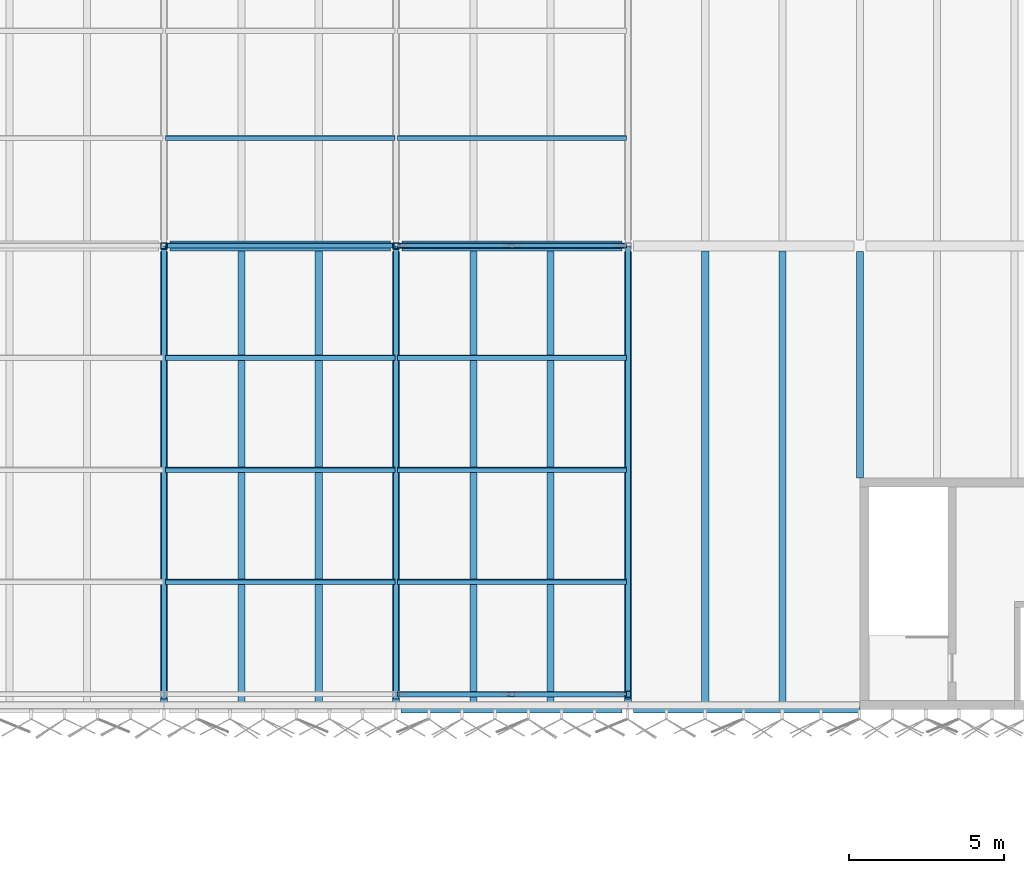
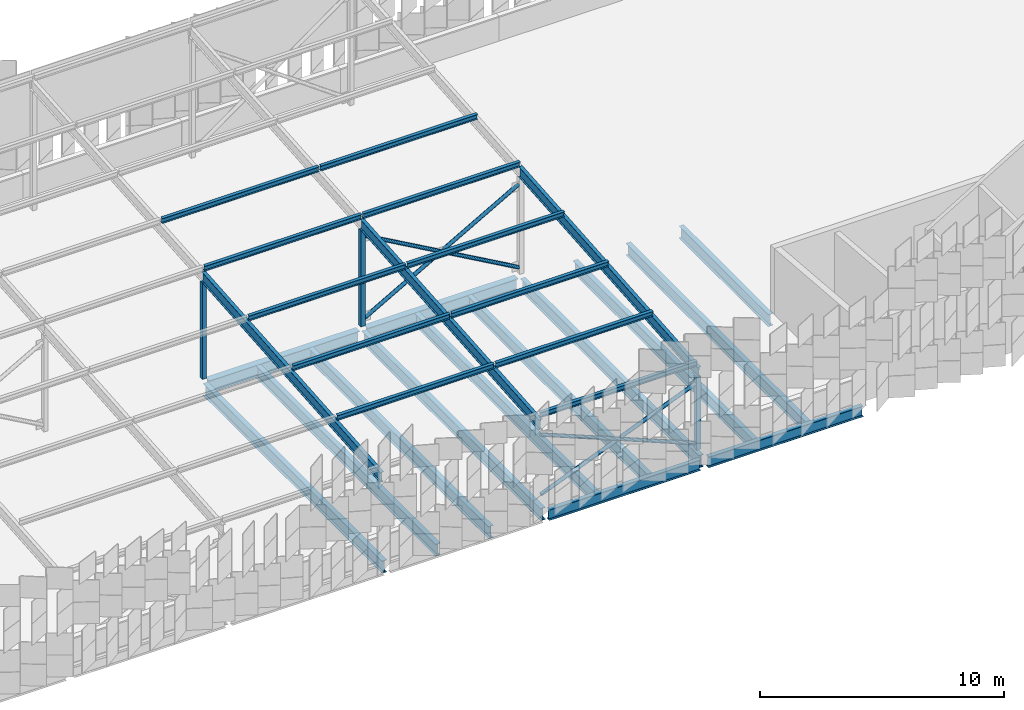
# One storey, part 48 of 483: 23 members, 14 beams.
"""IFC4 building model written with IfcOpenShell, lengths in metres."""

from ifc_helpers import new_model, si_unit, direction, frame, origin, origin_2d, place, context, subcontext, project, spatial, hollow_rectangle, hollow_circle, i_section, extrude, material, material_profile, profile_set, type_object, element, save


model = new_model("IFC4")

# Units and contexts
model_context = context("Model", 3, precision=1e-05, world=origin(), true_north=direction((0.0, 1.0)))
body_context = subcontext(model_context, "Body", "Model", "MODEL_VIEW")
ifc_project = project(units=[si_unit("LENGTHUNIT", "METRE"), si_unit("AREAUNIT", "SQUARE_METRE"), si_unit("VOLUMEUNIT", "CUBIC_METRE"), si_unit("PLANEANGLEUNIT", "RADIAN"), si_unit("MASSUNIT", "GRAM", prefix="KILO")], contexts=[model_context])

# Site, building, storey
site_placement = place(None, origin())
site = spatial("IfcSite", under=ifc_project, at=site_placement, CompositionType="ELEMENT")
building_placement = place(site_placement, origin())
building = spatial("IfcBuilding", under=site, at=building_placement, Name="Parallax Yard Mobility Hub", CompositionType="ELEMENT")
storey_placement = place(building_placement, frame((0.0, 0.0, 13.199951171875)))
storey = spatial("IfcBuildingStorey", under=building, at=storey_placement, Name="L04", CompositionType="ELEMENT", Elevation=13.199951171875)

# Members
ifc_material_1 = material(Name="Steel ASTM A500 Gr C", Category="steel")
ifc_material_profile_1 = material_profile(ifc_material_1, hollow_circle(Radius=0.0888671875, WallThickness=0.0078125, at=origin_2d()), Name="HSS177.8x7.9")
ifc_profile_set_1 = profile_set([ifc_material_profile_1], Name="Steel ASTM A500 Gr C")
member_type_1 = type_object("IfcMemberType", Name="Canopy brace HSS177.8x7.9", PredefinedType="BRACE", material=ifc_profile_set_1)
member_1_placement = place(storey_placement, frame((119.913330078125, 113.0, 0.300048828125), z_axis=(-0.925869010623, 0.0, 0.377844644222), x_axis=(0.0, -1.0, 0.0)))
element("IfcMember", 1, at=member_1_placement, inside=storey, type_object=member_type_1, Name="Canopy X brace RA bay N-B bay 4 diagonal B", PredefinedType="BRACE", context=body_context, shape_type="SweptSolid", body=[
    extrude(hollow_circle(Radius=0.0888671875, WallThickness=0.0078125, at=origin_2d()), origin(), (0.0, 0.0, 1.0), 7.913330078125),
])
for number, where, z_axis, x_axis, name in (
    (2, (112.586669921875, 113.0, 0.300048828125), (0.925875790589, 0.0, 0.377828030196), (0.0, 1.0, 0.0), "Canopy X brace RA bay N-B bay 4 diagonal A part 1"),
    (3, (116.3583984375, 113.0, 1.83935546875), (0.925875790589, 0.0, 0.377828030196), (0.0, 1.0, 0.0), "Canopy X brace RA bay N-B bay 4 diagonal A part 2"),
):
    element("IfcMember", number, at=place(storey_placement, frame(where, z_axis=z_axis, x_axis=x_axis)), inside=storey, type_object=member_type_1, Name=name, PredefinedType="BRACE", context=body_context, shape_type="SweptSolid", body=[
        extrude(hollow_circle(Radius=0.0888671875, WallThickness=0.0078125, at=origin_2d()), origin(), (0.0, 0.0, 1.0), 3.839599609375),
    ])
member_2_placement = place(storey_placement, frame((119.913330078125, 127.5, 0.300048828125), z_axis=(-0.870117516531, 0.0, 0.492844303432), x_axis=(0.0, -1.0, 0.0)))
element("IfcMember", 4, at=member_2_placement, inside=storey, type_object=member_type_1, Name="Canopy X brace RB bay N-B bay 4 diagonal B", PredefinedType="BRACE", context=body_context, shape_type="SweptSolid", body=[
    extrude(hollow_circle(Radius=0.0888671875, WallThickness=0.0078125, at=origin_2d()), origin(), (0.0, 0.0, 1.0), 8.42041015625),
])
for number, where, z_axis, x_axis, name in (
    (5, (112.586669921875, 127.5, 0.300048828125), (0.870112904421, 0.0, 0.492852446032), (0.0, 1.0, 0.0), "Canopy X brace RB bay N-B bay 4 diagonal A part 1"),
    (6, (116.33154296875, 127.5, 2.421142578125), (0.870112904421, 0.0, 0.492852446032), (0.0, 1.0, 0.0), "Canopy X brace RB bay N-B bay 4 diagonal A part 2"),
):
    element("IfcMember", number, at=place(storey_placement, frame(where, z_axis=z_axis, x_axis=x_axis)), inside=storey, type_object=member_type_1, Name=name, PredefinedType="BRACE", context=body_context, shape_type="SweptSolid", body=[
        extrude(hollow_circle(Radius=0.0888671875, WallThickness=0.0078125, at=origin_2d()), origin(), (0.0, 0.0, 1.0), 4.116455078125),
    ])
ifc_material_profile_2 = material_profile(ifc_material_1, hollow_rectangle(XDim=0.203125, YDim=0.203125, WallThickness=0.009521484375, at=origin_2d()), Name="HSS203x203x9.5")
ifc_profile_set_2 = profile_set([ifc_material_profile_2], Name="Steel ASTM A500 Gr C")
member_type_2 = type_object("IfcMemberType", Name="Canopy post HSS203x203x9.5", PredefinedType="POST", material=ifc_profile_set_2)
for number, where, z_axis, x_axis, name in (
    (7, (105.0, 127.5, 0.0), (0.0, 0.0, 1.0), (1.0, 0.0, 0.0), "Canopy post RB/N-B3"),
    (8, (112.5, 127.5, 0.0), (0.0, 0.0, 1.0), (1.0, 0.0, 0.0), "Canopy post RB/N-B4"),
):
    element("IfcMember", number, at=place(storey_placement, frame(where, z_axis=z_axis, x_axis=x_axis)), inside=storey, type_object=member_type_2, Name=name, PredefinedType="POST", context=body_context, shape_type="SweptSolid", body=[
        extrude(hollow_rectangle(XDim=0.203125, YDim=0.203125, WallThickness=0.009521484375, at=origin_2d()), origin(), (0.0, 0.0, 1.0), 4.81005859375),
    ])
member_3_placement = place(storey_placement, frame((120.0, 113.0, 0.0), z_axis=(0.0, 0.0, 1.0), x_axis=(1.0, 0.0, 0.0)))
element("IfcMember", 9, at=member_3_placement, inside=storey, type_object=member_type_2, Name="Canopy post RA/N-B5", PredefinedType="POST", context=body_context, shape_type="SweptSolid", body=[
    extrude(hollow_rectangle(XDim=0.203125, YDim=0.203125, WallThickness=0.009521484375, at=origin_2d()), origin(), (0.0, 0.0, 1.0), 3.650146484375),
])
ifc_material_2 = material(Name="Steel ASTM A992", Category="steel")
ifc_material_profile_3 = material_profile(ifc_material_2, i_section(OverallWidth=0.14794921875, OverallDepth=0.26611328125, WebThickness=0.007568359375, FlangeThickness=0.012939453125, at=origin_2d()), Name="W250x45")
ifc_profile_set_3 = profile_set([ifc_material_profile_3], Name="Steel ASTM A992")
member_type_3 = type_object("IfcMemberType", Name="Canopy purlin W250x45", PredefinedType="PURLIN", material=ifc_profile_set_3)
for number, where, z_axis, x_axis, name in (
    (10, (105.0400390625, 116.635498046875, 4.592041015625), (1.0, 0.0, 0.0), (0.0, 0.996815308126, 0.079744852409), "Canopy purlin sector N-B bay 3 line 2"),
    (11, (105.0400390625, 120.260498046875, 4.882080078125), (1.0, 0.0, 0.0), (0.0, 0.996815308126, 0.079744852409), "Canopy purlin sector N-B bay 3 line 3"),
    (12, (105.0400390625, 123.885498046875, 5.172119140625), (1.0, 0.0, 0.0), (0.0, 0.996815308126, 0.079744852409), "Canopy purlin sector N-B bay 3 line 4"),
    (13, (105.0400390625, 127.510498046875, 5.462158203125), (1.0, 0.0, 0.0), (0.0, 0.996815308126, 0.079744852409), "Canopy purlin sector N-B bay 3 line 5"),
    (14, (105.0400390625, 130.985595703125, 5.739990234375), (1.0, 0.0, 0.0), (0.0, 0.996815308126, 0.079744852409), "Canopy purlin sector N-B bay 3 line 6"),
    (15, (112.5400390625, 113.010498046875, 4.302001953125), (1.0, 0.0, 0.0), (0.0, 0.996815308126, 0.079744852409), "Canopy purlin sector N-B bay 4 line 1"),
    (16, (112.5400390625, 116.635498046875, 4.592041015625), (1.0, 0.0, 0.0), (0.0, 0.996815308126, 0.079744852409), "Canopy purlin sector N-B bay 4 line 2"),
    (17, (112.5400390625, 120.260498046875, 4.882080078125), (1.0, 0.0, 0.0), (0.0, 0.996815308126, 0.079744852409), "Canopy purlin sector N-B bay 4 line 3"),
    (18, (112.5400390625, 123.885498046875, 5.172119140625), (1.0, 0.0, 0.0), (0.0, 0.996815308126, 0.079744852409), "Canopy purlin sector N-B bay 4 line 4"),
    (19, (112.5400390625, 127.510498046875, 5.462158203125), (1.0, 0.0, 0.0), (0.0, 0.996815308126, 0.079744852409), "Canopy purlin sector N-B bay 4 line 5"),
    (20, (112.5400390625, 130.985595703125, 5.739990234375), (1.0, 0.0, 0.0), (0.0, 0.996815308126, 0.079744852409), "Canopy purlin sector N-B bay 4 line 6"),
):
    element("IfcMember", number, at=place(storey_placement, frame(where, z_axis=z_axis, x_axis=x_axis)), inside=storey, type_object=member_type_3, Name=name, PredefinedType="PURLIN", context=body_context, shape_type="SweptSolid", body=[
        extrude(i_section(OverallWidth=0.14794921875, OverallDepth=0.26611328125, WebThickness=0.007568359375, FlangeThickness=0.012939453125, at=origin_2d()), origin(), (0.0, 0.0, 1.0), 7.419921875),
    ])
ifc_material_profile_4 = material_profile(ifc_material_2, i_section(OverallWidth=0.166015625, OverallDepth=0.529052734375, WebThickness=0.009765625, FlangeThickness=0.013671875, at=origin_2d()), Name="W530x74")
ifc_profile_set_4 = profile_set([ifc_material_profile_4], Name="Steel ASTM A992")
member_type_4 = type_object("IfcMemberType", Name="Canopy rafter W530x74", PredefinedType="RAFTER", material=ifc_profile_set_4)
for number, where, z_axis, x_axis, name in (
    (21, (105.0, 112.87109375, 3.89501953125), (0.0, 0.996814591838, 0.079753805543), (-1.0, 0.0, 0.0), "Canopy rafter N-B3 inner span"),
    (22, (112.5, 112.87109375, 3.89501953125), (0.0, 0.996814591838, 0.079753805543), (-1.0, 0.0, 0.0), "Canopy rafter N-B4 inner span"),
    (23, (120.0, 112.87109375, 3.89501953125), (0.0, 0.996814591838, 0.079753805543), (-1.0, 0.0, 0.0), "Canopy rafter N-B5 inner span"),
):
    element("IfcMember", number, at=place(storey_placement, frame(where, z_axis=z_axis, x_axis=x_axis)), inside=storey, type_object=member_type_4, Name=name, PredefinedType="RAFTER", context=body_context, shape_type="SweptSolid", body=[
        extrude(i_section(OverallWidth=0.166015625, OverallDepth=0.529052734375, WebThickness=0.009765625, FlangeThickness=0.013671875, at=origin_2d()), origin(), (0.0, 0.0, 1.0), 14.69677734375),
    ])

# Beams
ifc_material_profile_5 = material_profile(ifc_material_2, i_section(OverallWidth=0.208984375, OverallDepth=0.532958984375, WebThickness=0.01025390625, FlangeThickness=0.015625, FilletRadius=0.0126953125, at=origin_2d()), Name="W530x92")
ifc_profile_set_5 = profile_set([ifc_material_profile_5], Name="Steel ASTM A992")
beam_type_1 = type_object("IfcBeamType", Name="W530x92 edge beam", PredefinedType="SPANDREL", material=ifc_profile_set_5)
beam_1_placement = place(storey_placement, frame((112.652587890625, 112.5, -0.406494140625), z_axis=(1.0, 0.0, 0.0), x_axis=(0.0, 1.0, 0.0)))
element("IfcBeam", 24, at=beam_1_placement, inside=storey, type_object=beam_type_1, Name="Edge beam SB5 level L04, line R of ramped parking decks, span 10", PredefinedType="SPANDREL", context=body_context, shape_type="SweptSolid", body=[
    extrude(i_section(OverallWidth=0.208984375, OverallDepth=0.532958984375, WebThickness=0.01025390625, FlangeThickness=0.015625, FilletRadius=0.0126953125, at=origin_2d()), origin(), (0.0, 0.0, 1.0), 7.160888671875),
])
beam_2_placement = place(storey_placement, frame((120.1865234375, 112.5, -0.406494140625), z_axis=(1.0, 0.0, 0.0), x_axis=(0.0, 1.0, 0.0)))
element("IfcBeam", 25, at=beam_2_placement, inside=storey, type_object=beam_type_1, Name="Edge beam SB5 level L04, line R of ramped parking decks, span 11", PredefinedType="SPANDREL", context=body_context, shape_type="SweptSolid", body=[
    extrude(i_section(OverallWidth=0.208984375, OverallDepth=0.532958984375, WebThickness=0.01025390625, FlangeThickness=0.015625, FilletRadius=0.0126953125, at=origin_2d()), origin(), (0.0, 0.0, 1.0), 7.3134765625),
])
ifc_material_profile_6 = material_profile(ifc_material_2, i_section(OverallWidth=0.22802734375, OverallDepth=0.60205078125, WebThickness=0.010498046875, FlangeThickness=0.014892578125, FilletRadius=0.0126953125, at=origin_2d()), Name="W610x101")
ifc_profile_set_6 = profile_set([ifc_material_profile_6], Name="Steel ASTM A992")
beam_type_2 = type_object("IfcBeamType", Name="W610x101 secondary beam", PredefinedType="JOIST", material=ifc_profile_set_6)
for number, where, z_axis, x_axis, name in (
    (26, (107.5, 112.6044921875, -0.44091796875), (0.0, 1.0, 0.0), (-1.0, 0.0, 0.0), "Secondary beam B3 level L04, 2.5 m east of line 15 of ramped parking decks, span 1"),
    (27, (115.0, 112.6044921875, -0.44091796875), (0.0, 1.0, 0.0), (-1.0, 0.0, 0.0), "Secondary beam B3 level L04, 2.5 m east of line 16 of ramped parking decks, span 1"),
    (28, (122.5, 112.6044921875, -0.44091796875), (0.0, 1.0, 0.0), (-1.0, 0.0, 0.0), "Secondary beam B3 level L04, 2.5 m east of line 17 of ramped parking decks, span 1"),
    (29, (110.0, 112.6044921875, -0.44091796875), (0.0, 1.0, 0.0), (-1.0, 0.0, 0.0), "Secondary beam B3 level L04, 5 m east of line 15 of ramped parking decks, span 1"),
    (30, (117.5, 112.6044921875, -0.44091796875), (0.0, 1.0, 0.0), (-1.0, 0.0, 0.0), "Secondary beam B3 level L04, 5 m east of line 16 of ramped parking decks, span 1"),
    (31, (125.0, 112.6044921875, -0.44091796875), (0.0, 1.0, 0.0), (-1.0, 0.0, 0.0), "Secondary beam B3 level L04, 5 m east of line 17 of ramped parking decks, span 1"),
):
    element("IfcBeam", number, at=place(storey_placement, frame(where, z_axis=z_axis, x_axis=x_axis)), inside=storey, type_object=beam_type_2, Name=name, PredefinedType="JOIST", context=body_context, shape_type="SweptSolid", body=[
        extrude(i_section(OverallWidth=0.22802734375, OverallDepth=0.60205078125, WebThickness=0.010498046875, FlangeThickness=0.014892578125, FilletRadius=0.0126953125, at=origin_2d()), origin(), (0.0, 0.0, 1.0), 14.73291015625),
    ])
ifc_material_profile_7 = material_profile(ifc_material_2, i_section(OverallWidth=0.22900390625, OverallDepth=0.612060546875, WebThickness=0.011962890625, FlangeThickness=0.01953125, FilletRadius=0.0126953125, at=origin_2d()), Name="W610x125")
ifc_profile_set_7 = profile_set([ifc_material_profile_7], Name="Steel ASTM A992")
beam_type_3 = type_object("IfcBeamType", Name="W610x125 girder", PredefinedType="BEAM", material=ifc_profile_set_7)
for number, where, z_axis, x_axis, name in (
    (32, (105.0, 112.653564453125, -0.446044921875), (0.0, 1.0, 0.0), (-1.0, 0.0, 0.0), "Girder G3 level L04, line 15 of ramped parking decks, span 1"),
    (33, (112.5, 112.653564453125, -0.446044921875), (0.0, 1.0, 0.0), (-1.0, 0.0, 0.0), "Girder G3 level L04, line 16 of ramped parking decks, span 1"),
):
    element("IfcBeam", number, at=place(storey_placement, frame(where, z_axis=z_axis, x_axis=x_axis)), inside=storey, type_object=beam_type_3, Name=name, PredefinedType="BEAM", context=body_context, shape_type="SweptSolid", body=[
        extrude(i_section(OverallWidth=0.22900390625, OverallDepth=0.612060546875, WebThickness=0.011962890625, FlangeThickness=0.01953125, FilletRadius=0.0126953125, at=origin_2d()), origin(), (0.0, 0.0, 1.0), 14.662353515625),
    ])
beam_3_placement = place(storey_placement, frame((120.0, 112.68408203125, -0.446044921875), z_axis=(0.0, 1.0, 0.0), x_axis=(-1.0, 0.0, 0.0)))
element("IfcBeam", 34, at=beam_3_placement, inside=storey, type_object=beam_type_3, Name="Girder G3 level L04, line 17 of ramped parking decks, span 1", PredefinedType="BEAM", context=body_context, shape_type="SweptSolid", body=[
    extrude(i_section(OverallWidth=0.22900390625, OverallDepth=0.612060546875, WebThickness=0.011962890625, FlangeThickness=0.01953125, FilletRadius=0.0126953125, at=origin_2d()), origin(), (0.0, 0.0, 1.0), 14.6318359375),
])
beam_4_placement = place(storey_placement, frame((127.5, 120.0, -0.446044921875), z_axis=(0.0, 1.0, 0.0), x_axis=(-1.0, 0.0, 0.0)))
element("IfcBeam", 35, at=beam_4_placement, inside=storey, type_object=beam_type_3, Name="Girder G3 level L04, line 18 of ramped parking decks, span 1", PredefinedType="BEAM", context=body_context, shape_type="SweptSolid", body=[
    extrude(i_section(OverallWidth=0.22900390625, OverallDepth=0.612060546875, WebThickness=0.011962890625, FlangeThickness=0.01953125, FilletRadius=0.0126953125, at=origin_2d()), origin(), (0.0, 0.0, 1.0), 7.31201171875),
])
ifc_material_profile_8 = material_profile(ifc_material_2, i_section(OverallWidth=0.324951171875, OverallDepth=0.612060546875, WebThickness=0.0126953125, FlangeThickness=0.01904296875, FilletRadius=0.0126953125, at=origin_2d()), Name="W610x155")
ifc_profile_set_8 = profile_set([ifc_material_profile_8], Name="Steel ASTM A992")
beam_type_4 = type_object("IfcBeamType", Name="W610x155 longitudinal beam", PredefinedType="BEAM", material=ifc_profile_set_8)
for number, where, z_axis, x_axis, name in (
    (36, (105.1865234375, 127.5, -0.446044921875), (1.0, 0.0, 0.0), (0.0, 1.0, 0.0), "Longitudinal beam SB8 level L04, line T of ramped parking decks, span 11"),
    (37, (112.6865234375, 127.5, -0.446044921875), (1.0, 0.0, 0.0), (0.0, 1.0, 0.0), "Longitudinal beam SB8 level L04, line T of ramped parking decks, span 12"),
):
    element("IfcBeam", number, at=place(storey_placement, frame(where, z_axis=z_axis, x_axis=x_axis)), inside=storey, type_object=beam_type_4, Name=name, PredefinedType="BEAM", context=body_context, shape_type="SweptSolid", body=[
        extrude(i_section(OverallWidth=0.324951171875, OverallDepth=0.612060546875, WebThickness=0.0126953125, FlangeThickness=0.01904296875, FilletRadius=0.0126953125, at=origin_2d()), origin(), (0.0, 0.0, 1.0), 7.126953125),
    ])

save(model, "model.ifc")
